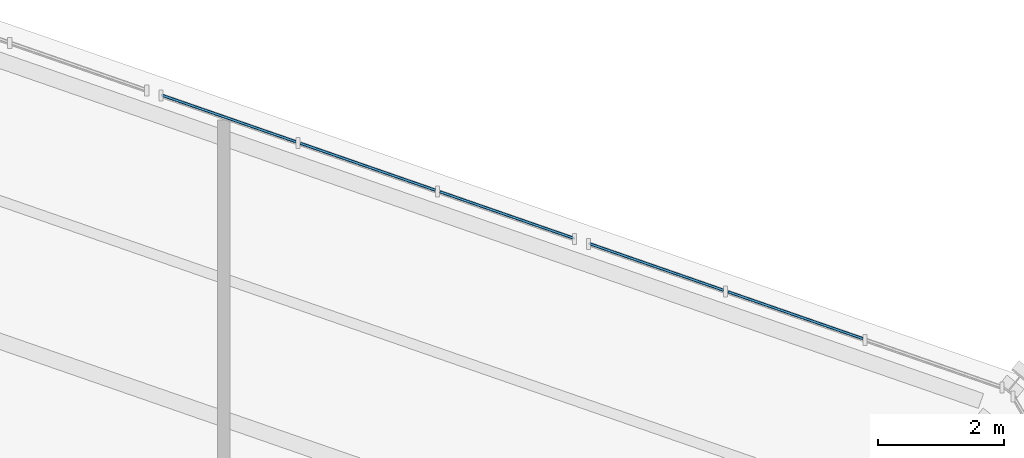
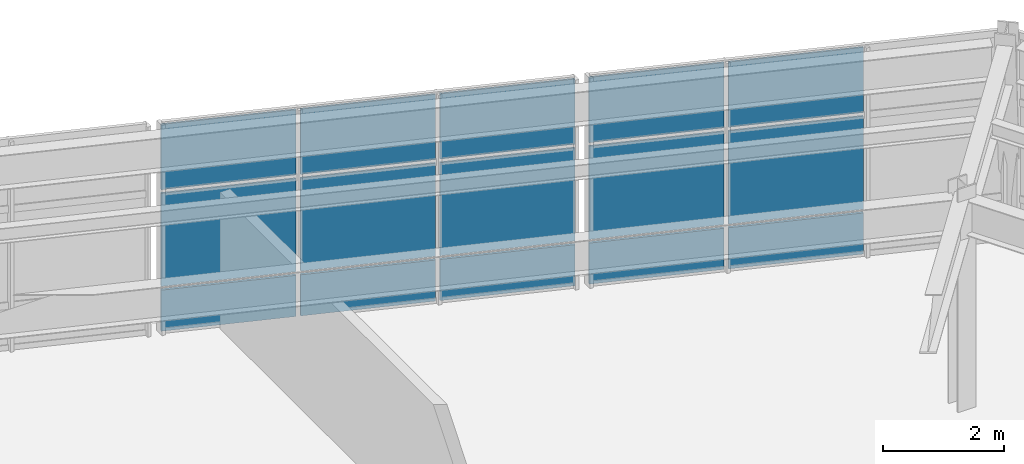
# One storey, part 44 of 69: 15 plates, 2 elements without a shape of their own.
"""IFC4 building model written with IfcOpenShell, lengths in metres."""

from ifc_helpers import new_model, si_unit, direction, frame, origin, origin_2d, place, context, subcontext, project, spatial, rectangle, extrude, material, layer, layer_set, type_object, element, aggregate, save


model = new_model("IFC4")

# Units and contexts
model_context = context("Model", 3, precision=1e-05, world=origin(), true_north=direction((0.0, 1.0)))
body_context = subcontext(model_context, "Body", "Model", "MODEL_VIEW")
ifc_project = project(units=[si_unit("LENGTHUNIT", "METRE"), si_unit("AREAUNIT", "SQUARE_METRE"), si_unit("VOLUMEUNIT", "CUBIC_METRE"), si_unit("PLANEANGLEUNIT", "RADIAN"), si_unit("MASSUNIT", "GRAM", prefix="KILO")], contexts=[model_context])

# Site, building, storey
site_placement = place(None, origin())
site = spatial("IfcSite", under=ifc_project, at=site_placement, CompositionType="ELEMENT")
building_placement = place(site_placement, origin())
building = spatial("IfcBuilding", under=site, at=building_placement, Name="Sarnbrook Museum", CompositionType="ELEMENT")
storey_placement = place(building_placement, frame((0.0, 0.0, 14.60009765625)))
storey = spatial("IfcBuildingStorey", under=building, at=storey_placement, Name="L03", CompositionType="ELEMENT", Elevation=14.60009765625)

# Curtain wall, plates
ifc_material_1 = material(Name="Thermally Broken Anodised Aluminium 6063-T6", Category="aluminium")
curtain_wall_type = type_object("IfcCurtainWallType", Name="CurtainWall_CrystalFacet", PredefinedType="NOTDEFINED", material=ifc_material_1)
curtain_wall_1_placement = place(storey_placement, origin())
curtain_wall_1 = element("IfcCurtainWall", 1, at=curtain_wall_1_placement, inside=storey, type_object=curtain_wall_type, Name="Crystal Hall Facet Curtain Wall L03-F5.1", PredefinedType="NOTDEFINED")
ifc_material_2 = material(Name="Double-Glazed Low-Iron Laminated Safety Glass", Category="glass")
ifc_layer_1 = layer(ifc_material_2, 0.031982421875)
ifc_layer_set_1 = layer_set([ifc_layer_1], Name="Double-Glazed Low-Iron Laminated Safety Glass")
plate_type_1 = type_object("IfcPlateType", Name="CW_GlazedPanel_32", PredefinedType="CURTAIN_PANEL", material=ifc_layer_set_1)
plate_1_placement = place(storey_placement, frame((153.20556640625, 107.567626953125, 1.875), z_axis=(0.328010484194, 0.944674082559, 0.0), x_axis=(-0.944674082559, 0.328010484194, 0.0)))
plate_1 = element("IfcPlate", 2, at=plate_1_placement, type_object=plate_type_1, Name="Crystal Hall Facet Curtain Wall L03-F5.1 Glazed Panel 2-2", PredefinedType="CURTAIN_PANEL", context=body_context, shape_type="SweptSolid", body=[
    extrude(rectangle(XDim=2.272705078125, YDim=1.8798828125, at=origin_2d()), origin(), (0.0, 0.0, 1.0), 0.031982421875),
])
plate_2_placement = place(storey_placement, frame((153.20556640625, 107.567626953125, 3.544921875), z_axis=(0.328010484194, 0.944674082559, 0.0), x_axis=(-0.944674082559, 0.328010484194, 0.0)))
plate_2 = element("IfcPlate", 3, at=plate_2_placement, type_object=plate_type_1, Name="Crystal Hall Facet Curtain Wall L03-F5.1 Glazed Panel 2-3", PredefinedType="CURTAIN_PANEL", context=body_context, shape_type="SweptSolid", body=[
    extrude(rectangle(XDim=2.272705078125, YDim=1.320068359375, at=origin_2d()), origin(), (0.0, 0.0, 1.0), 0.031982421875),
])
plate_3_placement = place(storey_placement, frame((150.987548828125, 108.337646484375, 1.875), z_axis=(0.328010484194, 0.944674082559, 0.0), x_axis=(-0.944674082559, 0.328010484194, 0.0)))
plate_3 = element("IfcPlate", 4, at=plate_3_placement, type_object=plate_type_1, Name="Crystal Hall Facet Curtain Wall L03-F5.1 Glazed Panel 3-2", PredefinedType="CURTAIN_PANEL", context=body_context, shape_type="SweptSolid", body=[
    extrude(rectangle(XDim=2.272705078125, YDim=1.8798828125, at=origin_2d()), origin(), (0.0, 0.0, 1.0), 0.031982421875),
])
plate_4_placement = place(storey_placement, frame((150.987548828125, 108.337646484375, 3.544921875), z_axis=(0.328010484194, 0.944674082559, 0.0), x_axis=(-0.944674082559, 0.328010484194, 0.0)))
plate_4 = element("IfcPlate", 5, at=plate_4_placement, type_object=plate_type_1, Name="Crystal Hall Facet Curtain Wall L03-F5.1 Glazed Panel 3-3", PredefinedType="CURTAIN_PANEL", context=body_context, shape_type="SweptSolid", body=[
    extrude(rectangle(XDim=2.272705078125, YDim=1.320068359375, at=origin_2d()), origin(), (0.0, 0.0, 1.0), 0.031982421875),
])

curtain_wall_2_placement = place(storey_placement, origin())
curtain_wall_2 = element("IfcCurtainWall", 6, at=curtain_wall_2_placement, inside=storey, type_object=curtain_wall_type, Name="Crystal Hall Facet Curtain Wall L03-F5.2", PredefinedType="NOTDEFINED")
plate_5_placement = place(storey_placement, frame((148.61865234375, 109.160400390625, 1.875), z_axis=(0.328010484194, 0.944674082559, 0.0), x_axis=(-0.944674082559, 0.328010484194, 0.0)))
plate_5 = element("IfcPlate", 7, at=plate_5_placement, type_object=plate_type_1, Name="Crystal Hall Facet Curtain Wall L03-F5.2 Glazed Panel 1-2", PredefinedType="CURTAIN_PANEL", context=body_context, shape_type="SweptSolid", body=[
    extrude(rectangle(XDim=2.272705078125, YDim=1.8798828125, at=origin_2d()), origin(), (0.0, 0.0, 1.0), 0.031982421875),
])
plate_6_placement = place(storey_placement, frame((148.61865234375, 109.160400390625, 3.544921875), z_axis=(0.328010484194, 0.944674082559, 0.0), x_axis=(-0.944674082559, 0.328010484194, 0.0)))
plate_6 = element("IfcPlate", 8, at=plate_6_placement, type_object=plate_type_1, Name="Crystal Hall Facet Curtain Wall L03-F5.2 Glazed Panel 1-3", PredefinedType="CURTAIN_PANEL", context=body_context, shape_type="SweptSolid", body=[
    extrude(rectangle(XDim=2.272705078125, YDim=1.320068359375, at=origin_2d()), origin(), (0.0, 0.0, 1.0), 0.031982421875),
])
plate_7_placement = place(storey_placement, frame((146.40087890625, 109.930419921875, 1.875), z_axis=(0.328010484194, 0.944674082559, 0.0), x_axis=(-0.944674082559, 0.328010484194, 0.0)))
plate_7 = element("IfcPlate", 9, at=plate_7_placement, type_object=plate_type_1, Name="Crystal Hall Facet Curtain Wall L03-F5.2 Glazed Panel 2-2", PredefinedType="CURTAIN_PANEL", context=body_context, shape_type="SweptSolid", body=[
    extrude(rectangle(XDim=2.272705078125, YDim=1.8798828125, at=origin_2d()), origin(), (0.0, 0.0, 1.0), 0.031982421875),
])
plate_8_placement = place(storey_placement, frame((146.40087890625, 109.930419921875, 3.544921875), z_axis=(0.328010484194, 0.944674082559, 0.0), x_axis=(-0.944674082559, 0.328010484194, 0.0)))
plate_8 = element("IfcPlate", 10, at=plate_8_placement, type_object=plate_type_1, Name="Crystal Hall Facet Curtain Wall L03-F5.2 Glazed Panel 2-3", PredefinedType="CURTAIN_PANEL", context=body_context, shape_type="SweptSolid", body=[
    extrude(rectangle(XDim=2.272705078125, YDim=1.320068359375, at=origin_2d()), origin(), (0.0, 0.0, 1.0), 0.031982421875),
])
plate_9_placement = place(storey_placement, frame((144.182861328125, 110.700439453125, 1.875), z_axis=(0.328010484194, 0.944674082559, 0.0), x_axis=(-0.944674082559, 0.328010484194, 0.0)))
plate_9 = element("IfcPlate", 11, at=plate_9_placement, type_object=plate_type_1, Name="Crystal Hall Facet Curtain Wall L03-F5.2 Glazed Panel 3-2", PredefinedType="CURTAIN_PANEL", context=body_context, shape_type="SweptSolid", body=[
    extrude(rectangle(XDim=2.272705078125, YDim=1.8798828125, at=origin_2d()), origin(), (0.0, 0.0, 1.0), 0.031982421875),
])
plate_10_placement = place(storey_placement, frame((144.182861328125, 110.700439453125, 3.544921875), z_axis=(0.328010484194, 0.944674082559, 0.0), x_axis=(-0.944674082559, 0.328010484194, 0.0)))
plate_10 = element("IfcPlate", 12, at=plate_10_placement, type_object=plate_type_1, Name="Crystal Hall Facet Curtain Wall L03-F5.2 Glazed Panel 3-3", PredefinedType="CURTAIN_PANEL", context=body_context, shape_type="SweptSolid", body=[
    extrude(rectangle(XDim=2.272705078125, YDim=1.320068359375, at=origin_2d()), origin(), (0.0, 0.0, 1.0), 0.031982421875),
])

# Plate
ifc_material_3 = material(Name="Patinated Architectural Bronze")
ifc_layer_2 = layer(ifc_material_3, 0.044921875)
ifc_layer_set_2 = layer_set([ifc_layer_2], Name="Patinated Architectural Bronze")
plate_type_2 = type_object("IfcPlateType", Name="CW_SpandrelPanel_45", PredefinedType="CURTAIN_PANEL", material=ifc_layer_set_2)
plate_11_placement = place(storey_placement, frame((153.203369140625, 107.5615234375, 0.449951171875), z_axis=(0.328010484194, 0.944674082559, 0.0), x_axis=(-0.944674082559, 0.328010484194, 0.0)))
plate_11 = element("IfcPlate", 13, at=plate_11_placement, type_object=plate_type_2, Name="Crystal Hall Facet Curtain Wall L03-F5.1 Spandrel Panel 2-1", PredefinedType="CURTAIN_PANEL", context=body_context, shape_type="SweptSolid", body=[
    extrude(rectangle(XDim=2.272705078125, YDim=0.830078125, at=origin_2d()), origin(), (0.0, 0.0, 1.0), 0.044921875),
])

plate_12_placement = place(storey_placement, frame((150.9853515625, 108.33154296875, 0.449951171875), z_axis=(0.328010484194, 0.944674082559, 0.0), x_axis=(-0.944674082559, 0.328010484194, 0.0)))
plate_12 = element("IfcPlate", 14, at=plate_12_placement, type_object=plate_type_2, Name="Crystal Hall Facet Curtain Wall L03-F5.1 Spandrel Panel 3-1", PredefinedType="CURTAIN_PANEL", context=body_context, shape_type="SweptSolid", body=[
    extrude(rectangle(XDim=2.272705078125, YDim=0.830078125, at=origin_2d()), origin(), (0.0, 0.0, 1.0), 0.044921875),
])

aggregate(curtain_wall_1, [plate_11, plate_1, plate_2, plate_12, plate_3, plate_4])

plate_13_placement = place(storey_placement, frame((148.616455078125, 109.154296875, 0.449951171875), z_axis=(0.328010484194, 0.944674082559, 0.0), x_axis=(-0.944674082559, 0.328010484194, 0.0)))
plate_13 = element("IfcPlate", 15, at=plate_13_placement, type_object=plate_type_2, Name="Crystal Hall Facet Curtain Wall L03-F5.2 Spandrel Panel 1-1", PredefinedType="CURTAIN_PANEL", context=body_context, shape_type="SweptSolid", body=[
    extrude(rectangle(XDim=2.272705078125, YDim=0.830078125, at=origin_2d()), origin(), (0.0, 0.0, 1.0), 0.044921875),
])

plate_14_placement = place(storey_placement, frame((146.398681640625, 109.92431640625, 0.449951171875), z_axis=(0.328010484194, 0.944674082559, 0.0), x_axis=(-0.944674082559, 0.328010484194, 0.0)))
plate_14 = element("IfcPlate", 16, at=plate_14_placement, type_object=plate_type_2, Name="Crystal Hall Facet Curtain Wall L03-F5.2 Spandrel Panel 2-1", PredefinedType="CURTAIN_PANEL", context=body_context, shape_type="SweptSolid", body=[
    extrude(rectangle(XDim=2.272705078125, YDim=0.830078125, at=origin_2d()), origin(), (0.0, 0.0, 1.0), 0.044921875),
])

plate_15_placement = place(storey_placement, frame((144.1806640625, 110.6943359375, 0.449951171875), z_axis=(0.328010484194, 0.944674082559, 0.0), x_axis=(-0.944674082559, 0.328010484194, 0.0)))
plate_15 = element("IfcPlate", 17, at=plate_15_placement, type_object=plate_type_2, Name="Crystal Hall Facet Curtain Wall L03-F5.2 Spandrel Panel 3-1", PredefinedType="CURTAIN_PANEL", context=body_context, shape_type="SweptSolid", body=[
    extrude(rectangle(XDim=2.272705078125, YDim=0.830078125, at=origin_2d()), origin(), (0.0, 0.0, 1.0), 0.044921875),
])

aggregate(curtain_wall_2, [plate_13, plate_5, plate_6, plate_14, plate_7, plate_8, plate_15, plate_9, plate_10])

save(model, "model.ifc")
